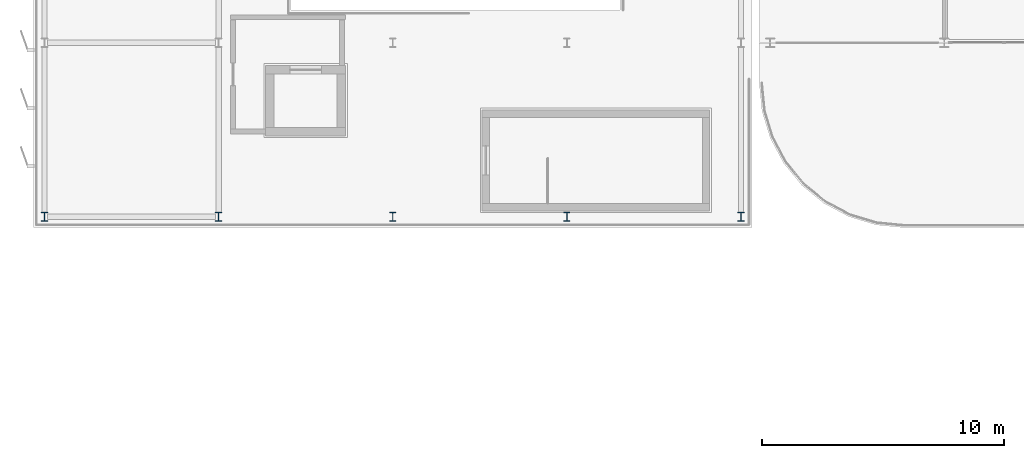
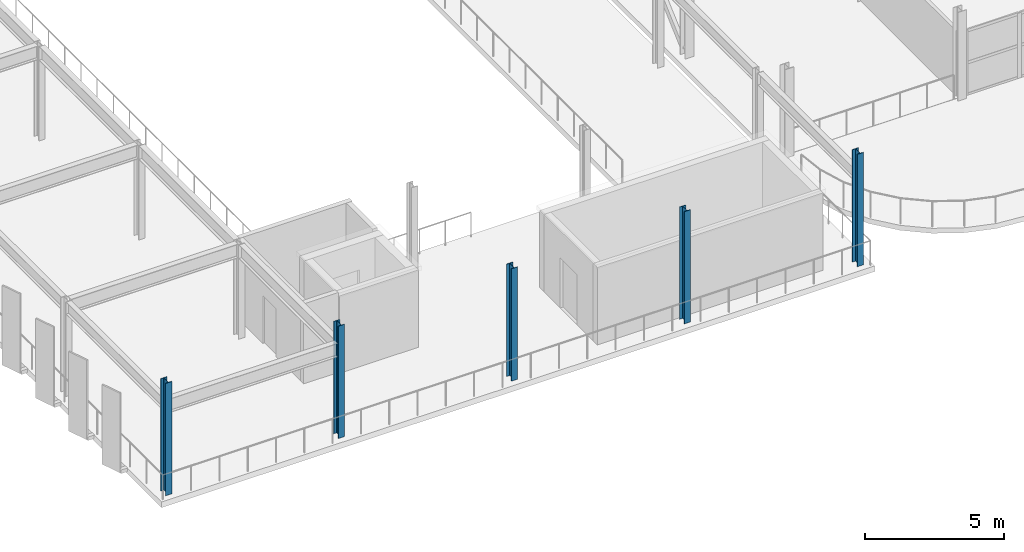
# One storey, part 1 of 40: 5 columns.
"""IFC4 building model written with IfcOpenShell, lengths in metres."""

from ifc_helpers import new_model, si_unit, direction, frame, origin, origin_2d, place, context, subcontext, project, spatial, i_section, extrude, material, material_profile, profile_set, type_object, element, save


model = new_model("IFC4")

# Units and contexts
model_context = context("Model", 3, precision=1e-05, world=origin(), true_north=direction((0.0, 1.0)))
body_context = subcontext(model_context, "Body", "Model", "MODEL_VIEW")
ifc_project = project(units=[si_unit("LENGTHUNIT", "METRE"), si_unit("AREAUNIT", "SQUARE_METRE"), si_unit("VOLUMEUNIT", "CUBIC_METRE"), si_unit("PLANEANGLEUNIT", "RADIAN"), si_unit("MASSUNIT", "GRAM", prefix="KILO")], contexts=[model_context])

# Site, building, storey
site_placement = place(None, origin())
site = spatial("IfcSite", under=ifc_project, at=site_placement, CompositionType="ELEMENT")
building_placement = place(site_placement, origin())
building = spatial("IfcBuilding", under=site, at=building_placement, Name="Vaelcorin Mobility Hub", CompositionType="ELEMENT")
storey_placement = place(building_placement, frame((0.0, 0.0, 17.10009765625)))
storey = spatial("IfcBuildingStorey", under=building, at=storey_placement, Name="L04", CompositionType="ELEMENT", Elevation=17.10009765625)

# Columns
ifc_material = material(Name="Steel ASTM A992 Grade 50", Category="steel")
ifc_material_profile = material_profile(ifc_material, i_section(OverallWidth=0.257080078125, OverallDepth=0.363037109375, WebThickness=0.012939453125, FlangeThickness=0.021728515625, FilletRadius=0.014892578125, at=origin_2d()), Name="W14X82")
ifc_profile_set = profile_set([ifc_material_profile], Name="Steel ASTM A992 Grade 50")
column_type = type_object("IfcColumnType", Name="COL-W14X82", PredefinedType="COLUMN", material=ifc_profile_set)
for number, where, z_axis, x_axis, name in (
    (1, (6.0, 76.800048828125, 0.0), (0.0, 0.0, 1.0), (1.0, 0.0, 0.0), "Column V2W-G1x1 L04"),
    (2, (13.199951171875, 76.800048828125, 0.0), (0.0, 0.0, 1.0), (1.0, 0.0, 0.0), "Column V2W-G2x1 L04"),
    (3, (20.39990234375, 76.800048828125, 0.0), (0.0, 0.0, 1.0), (1.0, 0.0, 0.0), "Column V2W-G3x1 L04"),
    (4, (27.60009765625, 76.800048828125, 0.0), (0.0, 0.0, 1.0), (1.0, 0.0, 0.0), "Column V2W-G4x1 L04"),
    (5, (34.800048828125, 76.800048828125, 0.0), (0.0, 0.0, 1.0), (1.0, 0.0, 0.0), "Column V2W-G5x1 L04"),
):
    element("IfcColumn", number, at=place(storey_placement, frame(where, z_axis=z_axis, x_axis=x_axis)), inside=storey, type_object=column_type, Name=name, PredefinedType="COLUMN", context=body_context, shape_type="SweptSolid", body=[
        extrude(i_section(OverallWidth=0.257080078125, OverallDepth=0.363037109375, WebThickness=0.012939453125, FlangeThickness=0.021728515625, FilletRadius=0.014892578125, at=origin_2d()), origin(), (0.0, 0.0, 1.0), 4.94384765625),
    ])

save(model, "model.ifc")
